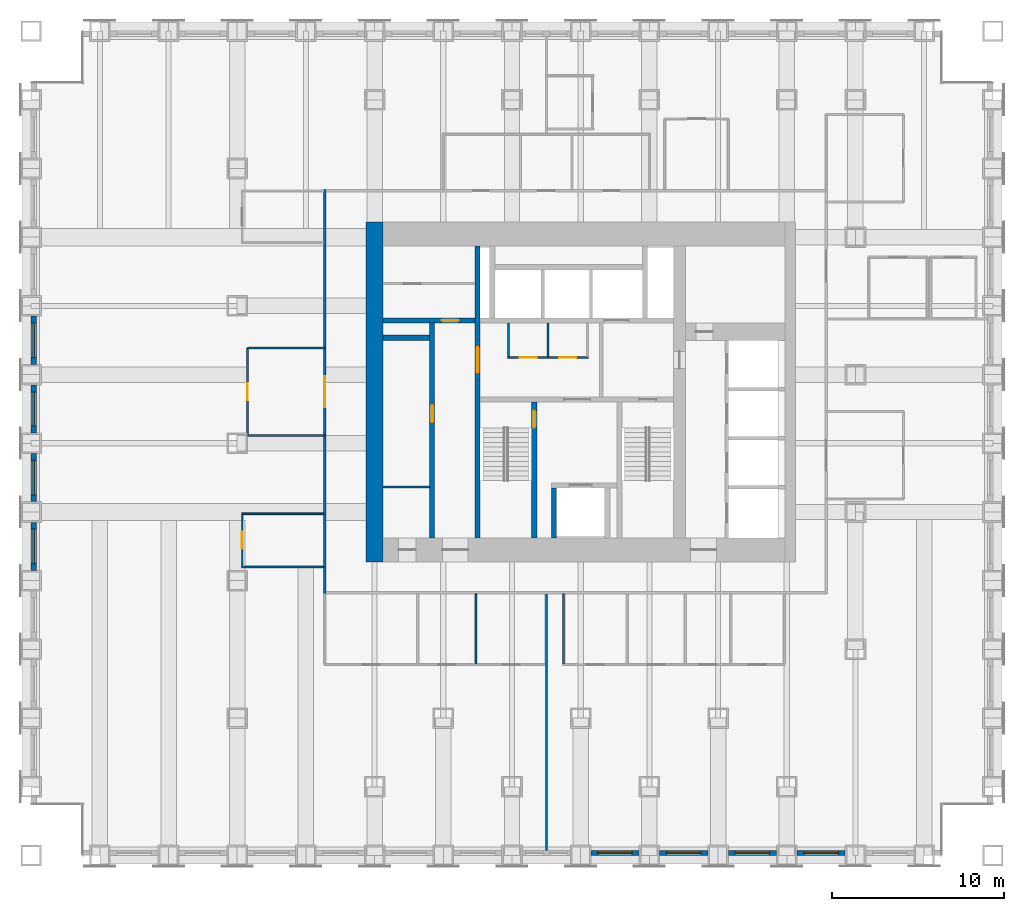
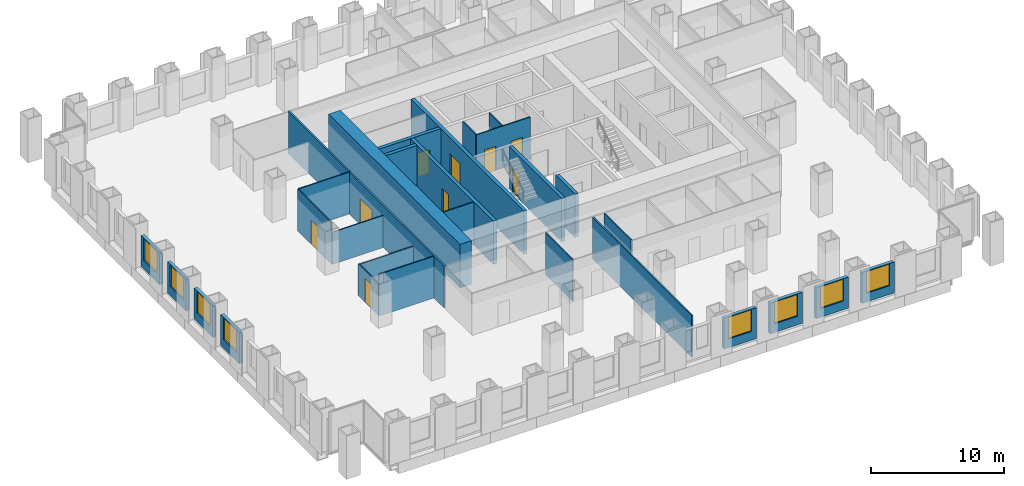
# One storey, part 8 of 14: 29 walls, 9 doors, 8 windows, 17 openings.
"""IFC4 building model written with IfcOpenShell, lengths in metres."""

from ifc_helpers import new_model, si_unit, direction, frame, frame_2d, origin, place, context, subcontext, project, spatial, rectangle, extrude, material, layer, layer_set, type_object, element, fill, save


model = new_model("IFC4")

# Units and contexts
model_context = context("Model", 3, precision=1e-05, world=origin(), true_north=direction((0.0, 1.0)))
body_context = subcontext(model_context, "Body", "Model", "MODEL_VIEW")
ifc_project = project(units=[si_unit("LENGTHUNIT", "METRE"), si_unit("AREAUNIT", "SQUARE_METRE"), si_unit("VOLUMEUNIT", "CUBIC_METRE"), si_unit("PLANEANGLEUNIT", "RADIAN"), si_unit("MASSUNIT", "GRAM", prefix="KILO")], contexts=[model_context])

# Site, building, storey
site_placement = place(None, origin())
site = spatial("IfcSite", under=ifc_project, at=site_placement, CompositionType="ELEMENT")
building_placement = place(site_placement, origin())
building = spatial("IfcBuilding", under=site, at=building_placement, Name="Rimbunsela Tower", CompositionType="ELEMENT")
storey_placement = place(building_placement, frame((0.0, 0.0, 55.0)))
storey = spatial("IfcBuildingStorey", under=building, at=storey_placement, Name="L13", CompositionType="ELEMENT", Elevation=55.0)

# Wall, opening, door
ifc_material_1 = material(Name="Concrete fc' 80 MPa", Category="concrete")
ifc_layer_1 = layer(ifc_material_1, 0.300048828125)
ifc_layer_set_1 = layer_set([ifc_layer_1], Name="Core internal wall 300")
wall_type_1 = type_object("IfcWallType", Name="Core internal wall 300", PredefinedType="SHEAR", material=ifc_layer_set_1)
wall_1_placement = place(storey_placement, frame((24.0, 18.5, -0.14990234375), z_axis=(0.0, 0.0, 1.0), x_axis=(0.0, 1.0, 0.0)))
wall_1 = element("IfcWall", 1, at=wall_1_placement, inside=storey, type_object=wall_type_1, Name="Core wall at stair A", PredefinedType="SHEAR", context=body_context, shape_type="SweptSolid", body=[
    extrude(rectangle(XDim=17.0, YDim=0.300048828125, at=frame_2d((8.5, 0.0))), origin(), (0.0, 0.0, 1.0), 4.0),
])
opening_1_placement = place(wall_1_placement, frame((9.60009765625, 0.0, 0.14990234375)))
opening_1 = element("IfcOpeningElement", 2, at=opening_1_placement, cuts=wall_1, Name="Opening D03", PredefinedType="OPENING", context=body_context, shape_type="SweptSolid", body=[
    extrude(rectangle(XDim=1.5, YDim=2.39990234375, at=frame_2d((0.75, 1.199951171875))), frame((0.0, 0.159912109375, 0.0), z_axis=(0.0, -1.0, 0.0), x_axis=(1.0, 0.0, 0.0)), (0.0, 0.0, 1.0), 0.320068359375),
])
ifc_material_2 = material(Name="Steel door, fire rated", Category="steel")
door_type_1 = type_object("IfcDoorType", Name="Core lobby door 1500", OperationType="DOUBLE_DOOR_DOUBLE_SWING", PredefinedType="DOOR", material=ifc_material_2)
door_1_placement = place(opening_1_placement, origin())
door_1 = element("IfcDoor", 3, at=door_1_placement, inside=storey, type_object=door_type_1, Name="West lobby door", OperationType="DOUBLE_DOOR_DOUBLE_SWING", OverallHeight=2.39990234375, OverallWidth=1.5, PredefinedType="DOOR", context=body_context, shape_type="SweptSolid", body=[
    extrude(rectangle(XDim=1.5, YDim=2.39990234375, at=frame_2d((0.75, 1.199951171875))), frame((0.0, 0.02490234375, 0.0), z_axis=(0.0, -1.0, 0.0), x_axis=(1.0, 0.0, 0.0)), (0.0, 0.0, 1.0), 0.050048828125),
])
fill(opening_1, door_1)

wall_2_placement = place(storey_placement, frame((27.300048828125, 18.5, -0.14990234375), z_axis=(0.0, 0.0, 1.0), x_axis=(0.0, 1.0, 0.0)))
wall_2 = element("IfcWall", 4, at=wall_2_placement, inside=storey, type_object=wall_type_1, Name="Stair A enclosure", PredefinedType="SHEAR", context=body_context, shape_type="SweptSolid", body=[
    extrude(rectangle(XDim=7.89990234375, YDim=0.300048828125, at=frame_2d((3.949951171875, 0.0))), origin(), (0.0, 0.0, 1.0), 4.0),
])
opening_2_placement = place(wall_2_placement, frame((6.39990234375, 0.0, 0.14990234375)))
opening_2 = element("IfcOpeningElement", 5, at=opening_2_placement, cuts=wall_2, Name="Opening D01", PredefinedType="OPENING", context=body_context, shape_type="SweptSolid", body=[
    extrude(rectangle(XDim=1.0, YDim=2.199951171875, at=frame_2d((0.5, 1.10009765625))), frame((0.0, 0.159912109375, 0.0), z_axis=(0.0, -1.0, 0.0), x_axis=(1.0, 0.0, 0.0)), (0.0, 0.0, 1.0), 0.320068359375),
])
ifc_material_3 = material(Name="Steel door, fire rated", Category="steel")
door_type_2 = type_object("IfcDoorType", Name="Stair door 1000", OperationType="SINGLE_SWING_RIGHT", PredefinedType="DOOR", material=ifc_material_3)
door_2_placement = place(opening_2_placement, origin())
door_2 = element("IfcDoor", 6, at=door_2_placement, inside=storey, type_object=door_type_2, Name="Stair A door", OperationType="SINGLE_SWING_RIGHT", OverallHeight=2.199951171875, OverallWidth=1.0, PredefinedType="DOOR", context=body_context, shape_type="SweptSolid", body=[
    extrude(rectangle(XDim=1.0, YDim=2.199951171875, at=frame_2d((0.5, 1.10009765625))), frame((0.0, 0.02490234375, 0.0), z_axis=(0.0, -1.0, 0.0), x_axis=(1.0, 0.0, 0.0)), (0.0, 0.0, 1.0), 0.050048828125),
])
fill(opening_2, door_2)

# Wall
wall_3_placement = place(storey_placement, frame((28.449951171875, 18.5, -0.14990234375), z_axis=(0.0, 0.0, 1.0), x_axis=(0.0, 1.0, 0.0)))
element("IfcWall", 7, at=wall_3_placement, inside=storey, type_object=wall_type_1, Name="Firefighting lift shaft west", PredefinedType="SHEAR", context=body_context, shape_type="SweptSolid", body=[
    extrude(rectangle(XDim=2.89990234375, YDim=0.300048828125, at=frame_2d((1.449951171875, 0.0))), origin(), (0.0, 0.0, 1.0), 4.0),
])

# Wall, opening, door
wall_4_placement = place(storey_placement, frame((21.35009765625, 18.5, -0.14990234375), z_axis=(0.0, 0.0, 1.0), x_axis=(0.0, 1.0, 0.0)))
wall_4 = element("IfcWall", 8, at=wall_4_placement, inside=storey, type_object=wall_type_1, Name="Lift shaft front west", PredefinedType="SHEAR", context=body_context, shape_type="SweptSolid", body=[
    extrude(rectangle(XDim=12.5, YDim=0.300048828125, at=frame_2d((6.25, 0.0))), origin(), (0.0, 0.0, 1.0), 4.0),
])
opening_3_placement = place(wall_4_placement, frame((6.72509765625, 0.0, 0.14990234375)))
opening_3 = element("IfcOpeningElement", 9, at=opening_3_placement, cuts=wall_4, Name="Opening D19", PredefinedType="OPENING", context=body_context, shape_type="SweptSolid", body=[
    extrude(rectangle(XDim=1.0, YDim=2.199951171875, at=frame_2d((0.5, 1.10009765625))), frame((0.0, 0.159912109375, 0.0), z_axis=(0.0, -1.0, 0.0), x_axis=(1.0, 0.0, 0.0)), (0.0, 0.0, 1.0), 0.320068359375),
])
ifc_material_4 = material(Name="Steel door, fire rated", Category="steel")
door_type_3 = type_object("IfcDoorType", Name="Service door 1000 fire rated", OperationType="SINGLE_SWING_LEFT", PredefinedType="DOOR", material=ifc_material_4)
door_3_placement = place(opening_3_placement, origin())
door_3 = element("IfcDoor", 10, at=door_3_placement, inside=storey, type_object=door_type_3, Name="Housekeeping store door", OperationType="SINGLE_SWING_LEFT", OverallHeight=2.199951171875, OverallWidth=1.0, PredefinedType="DOOR", context=body_context, shape_type="SweptSolid", body=[
    extrude(rectangle(XDim=1.0, YDim=2.199951171875, at=frame_2d((0.5, 1.10009765625))), frame((0.0, 0.02490234375, 0.0), z_axis=(0.0, -1.0, 0.0), x_axis=(1.0, 0.0, 0.0)), (0.0, 0.0, 1.0), 0.050048828125),
])
fill(opening_3, door_3)

wall_5_placement = place(storey_placement, frame((18.5, 31.14990234375, -0.14990234375), z_axis=(0.0, 0.0, 1.0), x_axis=(1.0, 0.0, 0.0)))
wall_5 = element("IfcWall", 11, at=wall_5_placement, inside=storey, type_object=wall_type_1, Name="Store wall", PredefinedType="SHEAR", context=body_context, shape_type="SweptSolid", body=[
    extrude(rectangle(XDim=5.35009765625, YDim=0.300048828125, at=frame_2d((2.675048828125, 0.0))), origin(), (0.0, 0.0, 1.0), 4.0),
])
opening_4_placement = place(wall_5_placement, frame((3.39990234375, 0.0, 0.14990234375)))
opening_4 = element("IfcOpeningElement", 12, at=opening_4_placement, cuts=wall_5, Name="Opening D19", PredefinedType="OPENING", context=body_context, shape_type="SweptSolid", body=[
    extrude(rectangle(XDim=1.0, YDim=2.199951171875, at=frame_2d((0.5, 1.10009765625))), frame((0.0, 0.159912109375, 0.0), z_axis=(0.0, -1.0, 0.0), x_axis=(1.0, 0.0, 0.0)), (0.0, 0.0, 1.0), 0.320068359375),
])
door_4_placement = place(opening_4_placement, origin())
door_4 = element("IfcDoor", 13, at=door_4_placement, inside=storey, type_object=door_type_3, Name="Facilities store door", OperationType="SINGLE_SWING_LEFT", OverallHeight=2.199951171875, OverallWidth=1.0, PredefinedType="DOOR", context=body_context, shape_type="SweptSolid", body=[
    extrude(rectangle(XDim=1.0, YDim=2.199951171875, at=frame_2d((0.5, 1.10009765625))), frame((0.0, 0.02490234375, 0.0), z_axis=(0.0, -1.0, 0.0), x_axis=(1.0, 0.0, 0.0)), (0.0, 0.0, 1.0), 0.050048828125),
])
fill(opening_4, door_4)

# Wall
wall_6_placement = place(storey_placement, frame((18.5, 30.14990234375, -0.14990234375), z_axis=(0.0, 0.0, 1.0), x_axis=(1.0, 0.0, 0.0)))
element("IfcWall", 14, at=wall_6_placement, inside=storey, type_object=wall_type_1, Name="Lift shaft rear west", PredefinedType="SHEAR", context=body_context, shape_type="SweptSolid", body=[
    extrude(rectangle(XDim=2.699951171875, YDim=0.300048828125, at=frame_2d((1.35009765625, 0.0))), origin(), (0.0, 0.0, 1.0), 4.0),
])

# Wall, openings, doors
ifc_material_5 = material(Name="Concrete blockwork", Category="masonry")
ifc_layer_2 = layer(ifc_material_5, 0.10009765625)
ifc_layer_set_2 = layer_set([ifc_layer_2], Name="Core room partition 100")
wall_type_2 = type_object("IfcWallType", Name="Core room partition 100", PredefinedType="PARTITIONING", material=ifc_layer_set_2)
wall_7_placement = place(storey_placement, frame((25.75, 29.0, 0.0), z_axis=(0.0, 0.0, 1.0), x_axis=(1.0, 0.0, 0.0)))
wall_7 = element("IfcWall", 15, at=wall_7_placement, inside=storey, type_object=wall_type_2, Name="Lobby room wall", PredefinedType="PARTITIONING", context=body_context, shape_type="SweptSolid", body=[
    extrude(rectangle(XDim=4.699951171875, YDim=0.10009765625, at=frame_2d((2.35009765625, 0.0))), origin(), (0.0, 0.0, 1.0), 3.85009765625),
])
opening_5_placement = place(wall_7_placement, frame((0.699951171875, 0.0, 0.0)))
opening_5 = element("IfcOpeningElement", 16, at=opening_5_placement, cuts=wall_7, Name="Opening D19", PredefinedType="OPENING", context=body_context, shape_type="SweptSolid", body=[
    extrude(rectangle(XDim=1.0, YDim=2.199951171875, at=frame_2d((0.5, 1.10009765625))), frame((0.0, 0.06005859375, 0.0), z_axis=(0.0, -1.0, 0.0), x_axis=(1.0, 0.0, 0.0)), (0.0, 0.0, 1.0), 0.1201171875),
])
opening_6_placement = place(wall_7_placement, frame((3.0, 0.0, 0.0)))
opening_6 = element("IfcOpeningElement", 17, at=opening_6_placement, cuts=wall_7, Name="Opening D19", PredefinedType="OPENING", context=body_context, shape_type="SweptSolid", body=[
    extrude(rectangle(XDim=1.0, YDim=2.199951171875, at=frame_2d((0.5, 1.10009765625))), frame((0.0, 0.06005859375, 0.0), z_axis=(0.0, -1.0, 0.0), x_axis=(1.0, 0.0, 0.0)), (0.0, 0.0, 1.0), 0.1201171875),
])
door_5_placement = place(opening_5_placement, origin())
door_5 = element("IfcDoor", 18, at=door_5_placement, inside=storey, type_object=door_type_3, Name="Staff WC door", OperationType="SINGLE_SWING_LEFT", OverallHeight=2.199951171875, OverallWidth=1.0, PredefinedType="DOOR", context=body_context, shape_type="SweptSolid", body=[
    extrude(rectangle(XDim=1.0, YDim=2.199951171875, at=frame_2d((0.5, 1.10009765625))), frame((0.0, 0.02490234375, 0.0), z_axis=(0.0, -1.0, 0.0), x_axis=(1.0, 0.0, 0.0)), (0.0, 0.0, 1.0), 0.050048828125),
])
fill(opening_5, door_5)
door_6_placement = place(opening_6_placement, origin())
door_6 = element("IfcDoor", 19, at=door_6_placement, inside=storey, type_object=door_type_3, Name="Cleaners store door", OperationType="SINGLE_SWING_LEFT", OverallHeight=2.199951171875, OverallWidth=1.0, PredefinedType="DOOR", context=body_context, shape_type="SweptSolid", body=[
    extrude(rectangle(XDim=1.0, YDim=2.199951171875, at=frame_2d((0.5, 1.10009765625))), frame((0.0, 0.02490234375, 0.0), z_axis=(0.0, -1.0, 0.0), x_axis=(1.0, 0.0, 0.0)), (0.0, 0.0, 1.0), 0.050048828125),
])
fill(opening_6, door_6)

# Walls
for number, where, z_axis, x_axis, name in (
    (20, (25.800048828125, 29.050048828125, 0.0), (0.0, 0.0, 1.0), (0.0, 1.0, 0.0), "Lobby room wall"),
    (21, (28.10009765625, 29.050048828125, 0.0), (0.0, 0.0, 1.0), (0.0, 1.0, 0.0), "Lobby room wall"),
):
    element("IfcWall", number, at=place(storey_placement, frame(where, z_axis=z_axis, x_axis=x_axis)), inside=storey, type_object=wall_type_2, Name=name, PredefinedType="PARTITIONING", context=body_context, shape_type="SweptSolid", body=[
        extrude(rectangle(XDim=1.949951171875, YDim=0.10009765625, at=frame_2d((0.97509765625, 0.0))), origin(), (0.0, 0.0, 1.0), 3.85009765625),
    ])
wall_8_placement = place(storey_placement, frame((18.5, 21.449951171875, 0.0), z_axis=(0.0, 0.0, 1.0), x_axis=(1.0, 0.0, 0.0)))
element("IfcWall", 22, at=wall_8_placement, inside=storey, type_object=wall_type_2, Name="Housekeeping store wall", PredefinedType="PARTITIONING", context=body_context, shape_type="SweptSolid", body=[
    extrude(rectangle(XDim=2.699951171875, YDim=0.10009765625, at=frame_2d((1.35009765625, 0.0))), origin(), (0.0, 0.0, 1.0), 3.85009765625),
])
ifc_material_6 = material(Name="Concrete fc' 80 MPa", Category="concrete")
ifc_layer_3 = layer(ifc_material_6, 1.0)
ifc_layer_set_3 = layer_set([ifc_layer_3], Name="Core wall 1000")
wall_type_3 = type_object("IfcWallType", Name="Core wall 1000", PredefinedType="SHEAR", material=ifc_layer_set_3)
wall_9_placement = place(storey_placement, frame((18.0, 17.10009765625, -0.14990234375), z_axis=(0.0, 0.0, 1.0), x_axis=(0.0, 1.0, 0.0)))
element("IfcWall", 23, at=wall_9_placement, inside=storey, type_object=wall_type_3, Name="Core wall west", PredefinedType="SHEAR", context=body_context, shape_type="SweptSolid", body=[
    extrude(rectangle(XDim=19.7998046875, YDim=1.0, at=frame_2d((9.89990234375, 0.0))), origin(), (0.0, 0.0, 1.0), 4.0),
])
ifc_material_7 = material(Name="Gypsum board on steel studs", Category="steel")
ifc_layer_4 = layer(ifc_material_7, 0.10009765625)
ifc_layer_set_4 = layer_set([ifc_layer_4], Name="Office partition 100")
wall_type_4 = type_object("IfcWallType", Name="Office partition 100", PredefinedType="PARTITIONING", material=ifc_layer_set_4)
wall_10_placement = place(storey_placement, frame((10.25, 16.800048828125, 0.0), z_axis=(0.0, 0.0, 1.0), x_axis=(1.0, 0.0, 0.0)))
element("IfcWall", 24, at=wall_10_placement, inside=storey, type_object=wall_type_4, Name="Office partition", PredefinedType="PARTITIONING", context=body_context, shape_type="SweptSolid", body=[
    extrude(rectangle(XDim=4.77490234375, YDim=0.10009765625, at=frame_2d((2.387451171875, 0.0))), origin(), (0.0, 0.0, 1.0), 3.85009765625),
])
wall_11_placement = place(storey_placement, frame((10.25, 19.89990234375, 0.0), z_axis=(0.0, 0.0, 1.0), x_axis=(1.0, 0.0, 0.0)))
element("IfcWall", 25, at=wall_11_placement, inside=storey, type_object=wall_type_4, Name="Office partition", PredefinedType="PARTITIONING", context=body_context, shape_type="SweptSolid", body=[
    extrude(rectangle(XDim=4.77490234375, YDim=0.10009765625, at=frame_2d((2.387451171875, 0.0))), origin(), (0.0, 0.0, 1.0), 2.85009765625),
])

# Wall, opening, door
wall_12_placement = place(storey_placement, frame((10.300048828125, 16.85009765625, 0.0), z_axis=(0.0, 0.0, 1.0), x_axis=(0.0, 1.0, 0.0)))
wall_12 = element("IfcWall", 26, at=wall_12_placement, inside=storey, type_object=wall_type_4, Name="Office partition", PredefinedType="PARTITIONING", context=body_context, shape_type="SweptSolid", body=[
    extrude(rectangle(XDim=3.0, YDim=0.10009765625, at=frame_2d((1.5, 0.0))), origin(), (0.0, 0.0, 1.0), 2.949951171875),
])
opening_7_placement = place(wall_12_placement, frame((1.0, 0.0, 0.0)))
opening_7 = element("IfcOpeningElement", 27, at=opening_7_placement, cuts=wall_12, Name="Opening D16", PredefinedType="OPENING", context=body_context, shape_type="SweptSolid", body=[
    extrude(rectangle(XDim=1.0, YDim=2.199951171875, at=frame_2d((0.5, 1.10009765625))), frame((0.0, 0.06005859375, 0.0), z_axis=(0.0, -1.0, 0.0), x_axis=(1.0, 0.0, 0.0)), (0.0, 0.0, 1.0), 0.1201171875),
])
ifc_material_8 = material(Name="Timber door", Category="wood")
door_type_4 = type_object("IfcDoorType", Name="Office door 1000", OperationType="SINGLE_SWING_LEFT", PredefinedType="DOOR", material=ifc_material_8)
door_7_placement = place(opening_7_placement, origin())
door_7 = element("IfcDoor", 28, at=door_7_placement, inside=storey, type_object=door_type_4, Name="Office door", OperationType="SINGLE_SWING_LEFT", OverallHeight=2.199951171875, OverallWidth=1.0, PredefinedType="DOOR", context=body_context, shape_type="SweptSolid", body=[
    extrude(rectangle(XDim=1.0, YDim=2.199951171875, at=frame_2d((0.5, 1.10009765625))), frame((0.0, 0.02490234375, 0.0), z_axis=(0.0, -1.0, 0.0), x_axis=(1.0, 0.0, 0.0)), (0.0, 0.0, 1.0), 0.050048828125),
])
fill(opening_7, door_7)

# Walls
for number, where, z_axis, x_axis, name in (
    (29, (23.89990234375, 11.14990234375, 0.0), (0.0, 0.0, 1.0), (0.0, 1.0, 0.0), "Office partition"),
    (30, (28.9990234375, 11.14990234375, 0.0), (0.0, 0.0, 1.0), (0.0, 1.0, 0.0), "Office partition"),
):
    element("IfcWall", number, at=place(storey_placement, frame(where, z_axis=z_axis, x_axis=x_axis)), inside=storey, type_object=wall_type_4, Name=name, PredefinedType="PARTITIONING", context=body_context, shape_type="SweptSolid", body=[
        extrude(rectangle(XDim=4.0751953125, YDim=0.10009765625, at=frame_2d((2.03759765625, 0.0))), origin(), (0.0, 0.0, 1.0), 3.85009765625),
    ])
wall_13_placement = place(storey_placement, frame((15.10009765625, 29.550048828125, 0.0), z_axis=(0.0, 0.0, 1.0), x_axis=(-1.0, 0.0, 0.0)))
element("IfcWall", 31, at=wall_13_placement, inside=storey, type_object=wall_type_4, Name="Office partition", PredefinedType="PARTITIONING", context=body_context, shape_type="SweptSolid", body=[
    extrude(rectangle(XDim=4.5, YDim=0.10009765625, at=frame_2d((2.25, 0.0))), origin(), (0.0, 0.0, 1.0), 3.85009765625),
])

# Wall, opening, door
wall_14_placement = place(storey_placement, frame((10.60009765625, 29.550048828125, 0.0), z_axis=(0.0, 0.0, 1.0), x_axis=(0.0, -1.0, 0.0)))
wall_14 = element("IfcWall", 32, at=wall_14_placement, inside=storey, type_object=wall_type_4, Name="Office partition", PredefinedType="PARTITIONING", context=body_context, shape_type="SweptSolid", body=[
    extrude(rectangle(XDim=5.10009765625, YDim=0.10009765625, at=frame_2d((2.550048828125, 0.0))), origin(), (0.0, 0.0, 1.0), 3.85009765625),
])
opening_8_placement = place(wall_14_placement, frame((2.050048828125, 0.0, 0.0)))
opening_8 = element("IfcOpeningElement", 33, at=opening_8_placement, cuts=wall_14, Name="Opening D17", PredefinedType="OPENING", context=body_context, shape_type="SweptSolid", body=[
    extrude(rectangle(XDim=1.0, YDim=2.199951171875, at=frame_2d((0.5, 1.10009765625))), frame((0.0, 0.06005859375, 0.0), z_axis=(0.0, -1.0, 0.0), x_axis=(1.0, 0.0, 0.0)), (0.0, 0.0, 1.0), 0.1201171875),
])
ifc_material_9 = material(Name="Glazed aluminium door", Category="aluminium")
door_type_5 = type_object("IfcDoorType", Name="Meeting room door 1000 glazed", OperationType="SINGLE_SWING_RIGHT", PredefinedType="DOOR", material=ifc_material_9)
door_8_placement = place(opening_8_placement, origin())
door_8 = element("IfcDoor", 34, at=door_8_placement, inside=storey, type_object=door_type_5, Name="Reception door", OperationType="SINGLE_SWING_RIGHT", OverallHeight=2.199951171875, OverallWidth=1.0, PredefinedType="DOOR", context=body_context, shape_type="SweptSolid", body=[
    extrude(rectangle(XDim=1.0, YDim=2.199951171875, at=frame_2d((0.5, 1.10009765625))), frame((0.0, 0.02490234375, 0.0), z_axis=(0.0, -1.0, 0.0), x_axis=(1.0, 0.0, 0.0)), (0.0, 0.0, 1.0), 0.050048828125),
])
fill(opening_8, door_8)

# Wall
wall_15_placement = place(storey_placement, frame((10.60009765625, 24.449951171875, 0.0), z_axis=(0.0, 0.0, 1.0), x_axis=(1.0, 0.0, 0.0)))
element("IfcWall", 35, at=wall_15_placement, inside=storey, type_object=wall_type_4, Name="Office partition", PredefinedType="PARTITIONING", context=body_context, shape_type="SweptSolid", body=[
    extrude(rectangle(XDim=4.5, YDim=0.10009765625, at=frame_2d((2.25, 0.0))), origin(), (0.0, 0.0, 1.0), 2.949951171875),
])

# Wall, opening, window
ifc_material_10 = material(Name="Precast concrete fc' 35 MPa", Category="concrete")
ifc_layer_5 = layer(ifc_material_10, 0.300048828125)
ifc_layer_set_5 = layer_set([ifc_layer_5], Name="Precast concrete fc' 35 MPa")
wall_type_5 = type_object("IfcWallType", Name="Precast facade panel 300", PredefinedType="ELEMENTEDWALL", material=ifc_layer_set_5)
wall_16_placement = place(storey_placement, frame((30.60009765625, 0.14990234375, 0.0), z_axis=(0.0, 0.0, 1.0), x_axis=(1.0, 0.0, 0.0)))
wall_16 = element("IfcWall", 36, at=wall_16_placement, inside=storey, type_object=wall_type_5, Name="Facade panel S L13", PredefinedType="ELEMENTEDWALL", context=body_context, shape_type="SweptSolid", body=[
    extrude(rectangle(XDim=2.7998046875, YDim=0.300048828125, at=frame_2d((1.39990234375, 0.0))), origin(), (0.0, 0.0, 1.0), 2.85009765625),
])
opening_9_placement = place(wall_16_placement, frame((0.39990234375, 0.0, 0.800048828125)))
opening_9 = element("IfcOpeningElement", 37, at=opening_9_placement, cuts=wall_16, Name="Opening W1", PredefinedType="OPENING", context=body_context, shape_type="SweptSolid", body=[
    extrude(rectangle(XDim=2.0, YDim=2.0, at=frame_2d((1.0, 1.0))), frame((0.0, 0.159912109375, 0.0), z_axis=(0.0, -1.0, 0.0), x_axis=(1.0, 0.0, 0.0)), (0.0, 0.0, 1.0), 0.320068359375),
])
ifc_material_11 = material(Name="Clear glass in aluminium frame", Category="aluminium")
window_type = type_object("IfcWindowType", Name="Window W1 2000x2000", PartitioningType="DOUBLE_PANEL_VERTICAL", PredefinedType="WINDOW", material=ifc_material_11)
window_1_placement = place(opening_9_placement, origin())
window_1 = element("IfcWindow", 38, at=window_1_placement, inside=storey, type_object=window_type, Name="Window L13", OverallHeight=2.0, OverallWidth=2.0, PartitioningType="SINGLE_PANEL", PredefinedType="WINDOW", context=body_context, shape_type="SweptSolid", body=[
    extrude(rectangle(XDim=2.0, YDim=2.0, at=frame_2d((1.0, 1.0))), frame((0.0, 0.030029296875, 0.0), z_axis=(0.0, -1.0, 0.0), x_axis=(1.0, 0.0, 0.0)), (0.0, 0.0, 1.0), 0.06005859375),
])
fill(opening_9, window_1)

wall_17_placement = place(storey_placement, frame((34.60009765625, 0.14990234375, 0.0), z_axis=(0.0, 0.0, 1.0), x_axis=(1.0, 0.0, 0.0)))
wall_17 = element("IfcWall", 39, at=wall_17_placement, inside=storey, type_object=wall_type_5, Name="Facade panel S L13", PredefinedType="ELEMENTEDWALL", context=body_context, shape_type="SweptSolid", body=[
    extrude(rectangle(XDim=2.7998046875, YDim=0.300048828125, at=frame_2d((1.39990234375, 0.0))), origin(), (0.0, 0.0, 1.0), 2.85009765625),
])
opening_10_placement = place(wall_17_placement, frame((0.39990234375, 0.0, 0.800048828125)))
opening_10 = element("IfcOpeningElement", 40, at=opening_10_placement, cuts=wall_17, Name="Opening W1", PredefinedType="OPENING", context=body_context, shape_type="SweptSolid", body=[
    extrude(rectangle(XDim=2.0, YDim=2.0, at=frame_2d((1.0, 1.0))), frame((0.0, 0.159912109375, 0.0), z_axis=(0.0, -1.0, 0.0), x_axis=(1.0, 0.0, 0.0)), (0.0, 0.0, 1.0), 0.320068359375),
])
window_2_placement = place(opening_10_placement, origin())
window_2 = element("IfcWindow", 41, at=window_2_placement, inside=storey, type_object=window_type, Name="Window L13", OverallHeight=2.0, OverallWidth=2.0, PartitioningType="SINGLE_PANEL", PredefinedType="WINDOW", context=body_context, shape_type="SweptSolid", body=[
    extrude(rectangle(XDim=2.0, YDim=2.0, at=frame_2d((1.0, 1.0))), frame((0.0, 0.030029296875, 0.0), z_axis=(0.0, -1.0, 0.0), x_axis=(1.0, 0.0, 0.0)), (0.0, 0.0, 1.0), 0.06005859375),
])
fill(opening_10, window_2)

wall_18_placement = place(storey_placement, frame((38.60009765625, 0.14990234375, 0.0), z_axis=(0.0, 0.0, 1.0), x_axis=(1.0, 0.0, 0.0)))
wall_18 = element("IfcWall", 42, at=wall_18_placement, inside=storey, type_object=wall_type_5, Name="Facade panel S L13", PredefinedType="ELEMENTEDWALL", context=body_context, shape_type="SweptSolid", body=[
    extrude(rectangle(XDim=2.7998046875, YDim=0.300048828125, at=frame_2d((1.39990234375, 0.0))), origin(), (0.0, 0.0, 1.0), 2.85009765625),
])
opening_11_placement = place(wall_18_placement, frame((0.39990234375, 0.0, 0.800048828125)))
opening_11 = element("IfcOpeningElement", 43, at=opening_11_placement, cuts=wall_18, Name="Opening W1", PredefinedType="OPENING", context=body_context, shape_type="SweptSolid", body=[
    extrude(rectangle(XDim=2.0, YDim=2.0, at=frame_2d((1.0, 1.0))), frame((0.0, 0.159912109375, 0.0), z_axis=(0.0, -1.0, 0.0), x_axis=(1.0, 0.0, 0.0)), (0.0, 0.0, 1.0), 0.320068359375),
])
window_3_placement = place(opening_11_placement, origin())
window_3 = element("IfcWindow", 44, at=window_3_placement, inside=storey, type_object=window_type, Name="Window L13", OverallHeight=2.0, OverallWidth=2.0, PartitioningType="SINGLE_PANEL", PredefinedType="WINDOW", context=body_context, shape_type="SweptSolid", body=[
    extrude(rectangle(XDim=2.0, YDim=2.0, at=frame_2d((1.0, 1.0))), frame((0.0, 0.030029296875, 0.0), z_axis=(0.0, -1.0, 0.0), x_axis=(1.0, 0.0, 0.0)), (0.0, 0.0, 1.0), 0.06005859375),
])
fill(opening_11, window_3)

wall_19_placement = place(storey_placement, frame((42.60009765625, 0.14990234375, 0.0), z_axis=(0.0, 0.0, 1.0), x_axis=(1.0, 0.0, 0.0)))
wall_19 = element("IfcWall", 45, at=wall_19_placement, inside=storey, type_object=wall_type_5, Name="Facade panel S L13", PredefinedType="ELEMENTEDWALL", context=body_context, shape_type="SweptSolid", body=[
    extrude(rectangle(XDim=2.7998046875, YDim=0.300048828125, at=frame_2d((1.39990234375, 0.0))), origin(), (0.0, 0.0, 1.0), 2.85009765625),
])
opening_12_placement = place(wall_19_placement, frame((0.39990234375, 0.0, 0.800048828125)))
opening_12 = element("IfcOpeningElement", 46, at=opening_12_placement, cuts=wall_19, Name="Opening W1", PredefinedType="OPENING", context=body_context, shape_type="SweptSolid", body=[
    extrude(rectangle(XDim=2.0, YDim=2.0, at=frame_2d((1.0, 1.0))), frame((0.0, 0.159912109375, 0.0), z_axis=(0.0, -1.0, 0.0), x_axis=(1.0, 0.0, 0.0)), (0.0, 0.0, 1.0), 0.320068359375),
])
window_4_placement = place(opening_12_placement, origin())
window_4 = element("IfcWindow", 47, at=window_4_placement, inside=storey, type_object=window_type, Name="Window L13", OverallHeight=2.0, OverallWidth=2.0, PartitioningType="SINGLE_PANEL", PredefinedType="WINDOW", context=body_context, shape_type="SweptSolid", body=[
    extrude(rectangle(XDim=2.0, YDim=2.0, at=frame_2d((1.0, 1.0))), frame((0.0, 0.030029296875, 0.0), z_axis=(0.0, -1.0, 0.0), x_axis=(1.0, 0.0, 0.0)), (0.0, 0.0, 1.0), 0.06005859375),
])
fill(opening_12, window_4)

wall_20_placement = place(storey_placement, frame((-1.85009765625, 19.39990234375, 0.0), z_axis=(0.0, 0.0, 1.0), x_axis=(0.0, -1.0, 0.0)))
wall_20 = element("IfcWall", 48, at=wall_20_placement, inside=storey, type_object=wall_type_5, Name="Facade panel W L13", PredefinedType="ELEMENTEDWALL", context=body_context, shape_type="SweptSolid", body=[
    extrude(rectangle(XDim=2.7998046875, YDim=0.300048828125, at=frame_2d((1.39990234375, 0.0))), origin(), (0.0, 0.0, 1.0), 2.85009765625),
])
opening_13_placement = place(wall_20_placement, frame((0.39990234375, 0.0, 0.800048828125)))
opening_13 = element("IfcOpeningElement", 49, at=opening_13_placement, cuts=wall_20, Name="Opening W1", PredefinedType="OPENING", context=body_context, shape_type="SweptSolid", body=[
    extrude(rectangle(XDim=2.0, YDim=2.0, at=frame_2d((1.0, 1.0))), frame((0.0, 0.159912109375, 0.0), z_axis=(0.0, -1.0, 0.0), x_axis=(1.0, 0.0, 0.0)), (0.0, 0.0, 1.0), 0.320068359375),
])
window_5_placement = place(opening_13_placement, origin())
window_5 = element("IfcWindow", 50, at=window_5_placement, inside=storey, type_object=window_type, Name="Window L13", OverallHeight=2.0, OverallWidth=2.0, PartitioningType="SINGLE_PANEL", PredefinedType="WINDOW", context=body_context, shape_type="SweptSolid", body=[
    extrude(rectangle(XDim=2.0, YDim=2.0, at=frame_2d((1.0, 1.0))), frame((0.0, 0.030029296875, 0.0), z_axis=(0.0, -1.0, 0.0), x_axis=(1.0, 0.0, 0.0)), (0.0, 0.0, 1.0), 0.06005859375),
])
fill(opening_13, window_5)

wall_21_placement = place(storey_placement, frame((-1.85009765625, 23.39990234375, 0.0), z_axis=(0.0, 0.0, 1.0), x_axis=(0.0, -1.0, 0.0)))
wall_21 = element("IfcWall", 51, at=wall_21_placement, inside=storey, type_object=wall_type_5, Name="Facade panel W L13", PredefinedType="ELEMENTEDWALL", context=body_context, shape_type="SweptSolid", body=[
    extrude(rectangle(XDim=2.7998046875, YDim=0.300048828125, at=frame_2d((1.39990234375, 0.0))), origin(), (0.0, 0.0, 1.0), 2.85009765625),
])
opening_14_placement = place(wall_21_placement, frame((0.39990234375, 0.0, 0.800048828125)))
opening_14 = element("IfcOpeningElement", 52, at=opening_14_placement, cuts=wall_21, Name="Opening W1", PredefinedType="OPENING", context=body_context, shape_type="SweptSolid", body=[
    extrude(rectangle(XDim=2.0, YDim=2.0, at=frame_2d((1.0, 1.0))), frame((0.0, 0.159912109375, 0.0), z_axis=(0.0, -1.0, 0.0), x_axis=(1.0, 0.0, 0.0)), (0.0, 0.0, 1.0), 0.320068359375),
])
window_6_placement = place(opening_14_placement, origin())
window_6 = element("IfcWindow", 53, at=window_6_placement, inside=storey, type_object=window_type, Name="Window L13", OverallHeight=2.0, OverallWidth=2.0, PartitioningType="SINGLE_PANEL", PredefinedType="WINDOW", context=body_context, shape_type="SweptSolid", body=[
    extrude(rectangle(XDim=2.0, YDim=2.0, at=frame_2d((1.0, 1.0))), frame((0.0, 0.030029296875, 0.0), z_axis=(0.0, -1.0, 0.0), x_axis=(1.0, 0.0, 0.0)), (0.0, 0.0, 1.0), 0.06005859375),
])
fill(opening_14, window_6)

wall_22_placement = place(storey_placement, frame((-1.85009765625, 27.39990234375, 0.0), z_axis=(0.0, 0.0, 1.0), x_axis=(0.0, -1.0, 0.0)))
wall_22 = element("IfcWall", 54, at=wall_22_placement, inside=storey, type_object=wall_type_5, Name="Facade panel W L13", PredefinedType="ELEMENTEDWALL", context=body_context, shape_type="SweptSolid", body=[
    extrude(rectangle(XDim=2.7998046875, YDim=0.300048828125, at=frame_2d((1.39990234375, 0.0))), origin(), (0.0, 0.0, 1.0), 2.85009765625),
])
opening_15_placement = place(wall_22_placement, frame((0.39990234375, 0.0, 0.800048828125)))
opening_15 = element("IfcOpeningElement", 55, at=opening_15_placement, cuts=wall_22, Name="Opening W1", PredefinedType="OPENING", context=body_context, shape_type="SweptSolid", body=[
    extrude(rectangle(XDim=2.0, YDim=2.0, at=frame_2d((1.0, 1.0))), frame((0.0, 0.159912109375, 0.0), z_axis=(0.0, -1.0, 0.0), x_axis=(1.0, 0.0, 0.0)), (0.0, 0.0, 1.0), 0.320068359375),
])
window_7_placement = place(opening_15_placement, origin())
window_7 = element("IfcWindow", 56, at=window_7_placement, inside=storey, type_object=window_type, Name="Window L13", OverallHeight=2.0, OverallWidth=2.0, PartitioningType="SINGLE_PANEL", PredefinedType="WINDOW", context=body_context, shape_type="SweptSolid", body=[
    extrude(rectangle(XDim=2.0, YDim=2.0, at=frame_2d((1.0, 1.0))), frame((0.0, 0.030029296875, 0.0), z_axis=(0.0, -1.0, 0.0), x_axis=(1.0, 0.0, 0.0)), (0.0, 0.0, 1.0), 0.06005859375),
])
fill(opening_15, window_7)

wall_23_placement = place(storey_placement, frame((-1.85009765625, 31.39990234375, 0.0), z_axis=(0.0, 0.0, 1.0), x_axis=(0.0, -1.0, 0.0)))
wall_23 = element("IfcWall", 57, at=wall_23_placement, inside=storey, type_object=wall_type_5, Name="Facade panel W L13", PredefinedType="ELEMENTEDWALL", context=body_context, shape_type="SweptSolid", body=[
    extrude(rectangle(XDim=2.7998046875, YDim=0.300048828125, at=frame_2d((1.39990234375, 0.0))), origin(), (0.0, 0.0, 1.0), 2.85009765625),
])
opening_16_placement = place(wall_23_placement, frame((0.39990234375, 0.0, 0.800048828125)))
opening_16 = element("IfcOpeningElement", 58, at=opening_16_placement, cuts=wall_23, Name="Opening W1", PredefinedType="OPENING", context=body_context, shape_type="SweptSolid", body=[
    extrude(rectangle(XDim=2.0, YDim=2.0, at=frame_2d((1.0, 1.0))), frame((0.0, 0.159912109375, 0.0), z_axis=(0.0, -1.0, 0.0), x_axis=(1.0, 0.0, 0.0)), (0.0, 0.0, 1.0), 0.320068359375),
])
window_8_placement = place(opening_16_placement, origin())
window_8 = element("IfcWindow", 59, at=window_8_placement, inside=storey, type_object=window_type, Name="Window L13", OverallHeight=2.0, OverallWidth=2.0, PartitioningType="SINGLE_PANEL", PredefinedType="WINDOW", context=body_context, shape_type="SweptSolid", body=[
    extrude(rectangle(XDim=2.0, YDim=2.0, at=frame_2d((1.0, 1.0))), frame((0.0, 0.030029296875, 0.0), z_axis=(0.0, -1.0, 0.0), x_axis=(1.0, 0.0, 0.0)), (0.0, 0.0, 1.0), 0.06005859375),
])
fill(opening_16, window_8)

# Wall, opening, door
ifc_material_12 = material(Name="Fire-rated gypsum board on steel studs, EI 60", Category="steel")
ifc_layer_6 = layer(ifc_material_12, 0.14990234375)
ifc_layer_set_6 = layer_set([ifc_layer_6], Name="Rated corridor wall 150")
wall_type_6 = type_object("IfcWallType", Name="Rated corridor wall 150", PredefinedType="PARTITIONING", material=ifc_layer_set_6)
wall_24_placement = place(storey_placement, frame((15.10009765625, 15.22509765625, 0.0), z_axis=(0.0, 0.0, 1.0), x_axis=(0.0, 1.0, 0.0)))
wall_24 = element("IfcWall", 60, at=wall_24_placement, inside=storey, type_object=wall_type_6, Name="Corridor wall west", PredefinedType="PARTITIONING", context=body_context, shape_type="SweptSolid", body=[
    extrude(rectangle(XDim=23.5498046875, YDim=0.14990234375, at=frame_2d((11.77490234375, 0.0))), origin(), (0.0, 0.0, 1.0), 3.85009765625),
])
opening_17_placement = place(wall_24_placement, frame((10.875, 0.0, 0.0)))
opening_17 = element("IfcOpeningElement", 61, at=opening_17_placement, cuts=wall_24, Name="Opening D09", PredefinedType="OPENING", context=body_context, shape_type="SweptSolid", body=[
    extrude(rectangle(XDim=1.800048828125, YDim=2.39990234375, at=frame_2d((0.89990234375, 1.199951171875))), frame((0.0, 0.0849609375, 0.0), z_axis=(0.0, -1.0, 0.0), x_axis=(1.0, 0.0, 0.0)), (0.0, 0.0, 1.0), 0.169921875),
])
ifc_material_13 = material(Name="Glazed aluminium door, fire rated", Category="aluminium")
door_type_6 = type_object("IfcDoorType", Name="Tenancy door 1800 glazed", OperationType="DOUBLE_DOOR_DOUBLE_SWING", PredefinedType="DOOR", material=ifc_material_13)
door_9_placement = place(opening_17_placement, origin())
door_9 = element("IfcDoor", 62, at=door_9_placement, inside=storey, type_object=door_type_6, Name="Tenancy door", OperationType="DOUBLE_DOOR_DOUBLE_SWING", OverallHeight=2.39990234375, OverallWidth=1.800048828125, PredefinedType="DOOR", context=body_context, shape_type="SweptSolid", body=[
    extrude(rectangle(XDim=1.800048828125, YDim=2.39990234375, at=frame_2d((0.89990234375, 1.199951171875))), frame((0.0, 0.02490234375, 0.0), z_axis=(0.0, -1.0, 0.0), x_axis=(1.0, 0.0, 0.0)), (0.0, 0.0, 1.0), 0.050048828125),
])
fill(opening_17, door_9)

# Wall
ifc_material_14 = material(Name="Gypsum board on steel studs", Category="steel")
ifc_layer_7 = layer(ifc_material_14, 0.1201171875)
ifc_layer_set_7 = layer_set([ifc_layer_7], Name="Tenancy partition 120")
wall_type_7 = type_object("IfcWallType", Name="Tenancy partition 120", PredefinedType="PARTITIONING", material=ifc_layer_set_7)
wall_25_placement = place(storey_placement, frame((28.0, 0.300048828125, 0.0), z_axis=(0.0, 0.0, 1.0), x_axis=(0.0, 1.0, 0.0)))
element("IfcWall", 63, at=wall_25_placement, inside=storey, type_object=wall_type_7, Name="Tenancy partition south", PredefinedType="PARTITIONING", context=body_context, shape_type="SweptSolid", body=[
    extrude(rectangle(XDim=14.925048828125, YDim=0.1201171875, at=frame_2d((7.46240234375, 0.0))), origin(), (0.0, 0.0, 1.0), 3.85009765625),
])

save(model, "model.ifc")
